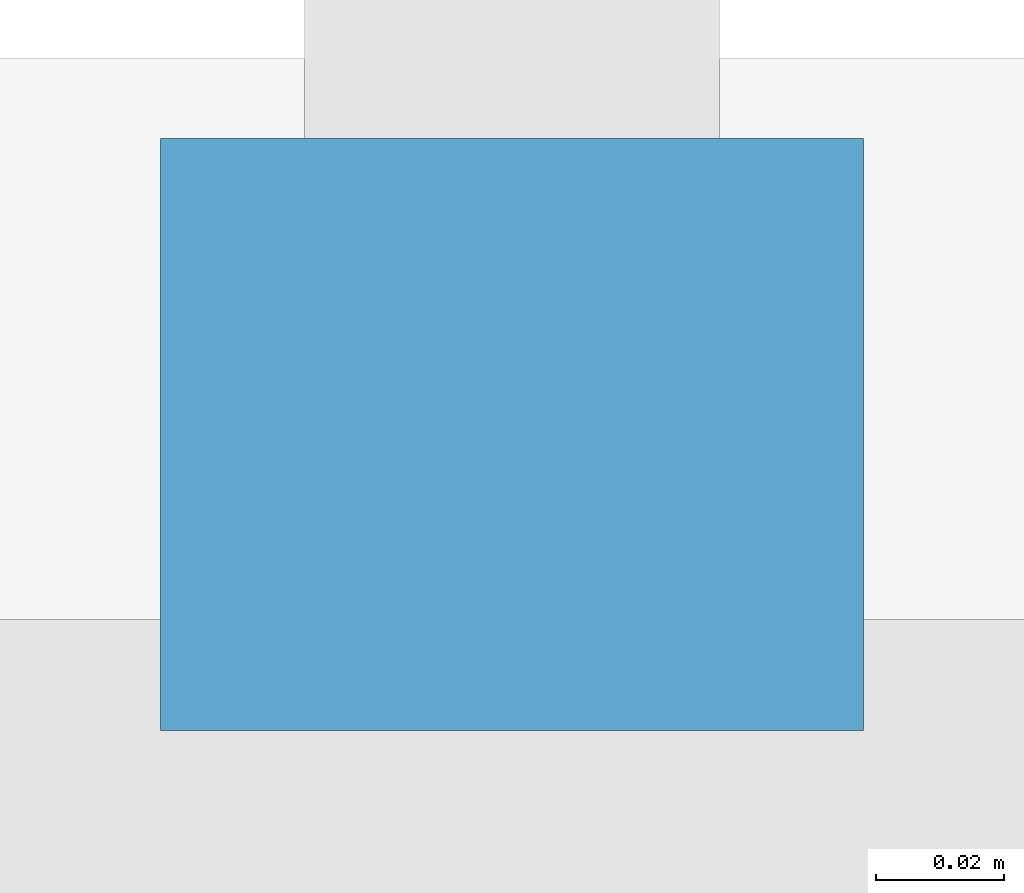
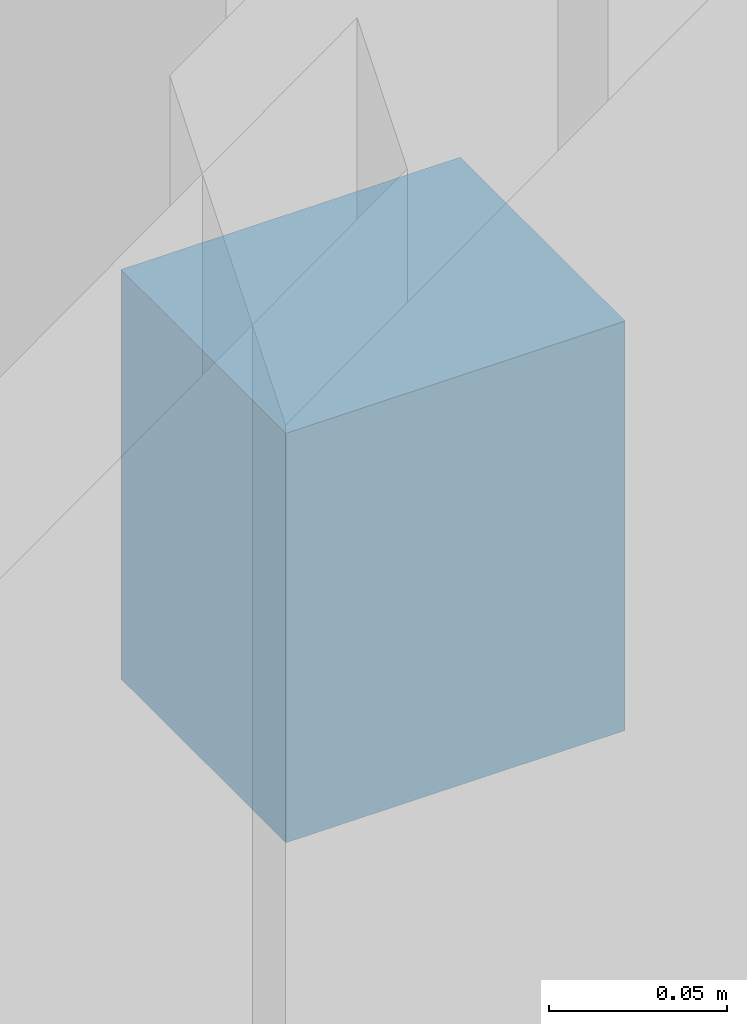
# One storey, part 13 of 15: 1 discrete accessory.
"""IFC4 building model written with IfcOpenShell, lengths in metres."""

from ifc_helpers import new_model, si_unit, direction, frame, origin, place, context, subcontext, project, spatial, polyline, outline, extrude, material, type_object, element, save


model = new_model("IFC4")

# Units and contexts
model_context = context("Model", 3, precision=1e-05, world=origin(), true_north=direction((0.0, 1.0)))
body_context = subcontext(model_context, "Body", "Model", "MODEL_VIEW")
ifc_project = project(units=[si_unit("LENGTHUNIT", "METRE"), si_unit("AREAUNIT", "SQUARE_METRE"), si_unit("VOLUMEUNIT", "CUBIC_METRE"), si_unit("PLANEANGLEUNIT", "RADIAN"), si_unit("MASSUNIT", "GRAM", prefix="KILO")], contexts=[model_context])

# Site, building, storey
site_placement = place(None, origin())
site = spatial("IfcSite", under=ifc_project, at=site_placement, CompositionType="ELEMENT")
building_placement = place(site_placement, origin())
building = spatial("IfcBuilding", under=site, at=building_placement, Name="Qalmaran Belvedere Hotel", CompositionType="ELEMENT")
storey_placement = place(building_placement, frame((0.0, 0.0, 196.89990234375)))
storey = spatial("IfcBuildingStorey", under=building, at=storey_placement, Name="L49", CompositionType="ELEMENT", Elevation=196.89990234375)

# Discrete accessory
ifc_material = material(Name="Stainless Steel 1.4401", Category="steel")
discrete_accessory_type = type_object("IfcDiscreteAccessoryType", Name="BRK-FIN-SS316", PredefinedType="BRACKET", material=ifc_material)
discrete_accessory_placement = place(storey_placement, frame((0.0, 0.0, 1.580078125)))
element("IfcDiscreteAccessory", 1, at=discrete_accessory_placement, inside=storey, type_object=discrete_accessory_type, Name="L49 Fin Bracket 1", PredefinedType="BRACKET", context=body_context, shape_type="SweptSolid", body=[
    extrude(outline(polyline([(23.429931640625, 41.39501953125), (23.429931640625, 41.487548828125), (23.320068359375, 41.487548828125), (23.320068359375, 41.39501953125), (23.429931640625, 41.39501953125)])), origin(), (0.0, 0.0, 1.0), 0.14013671875),
])

save(model, "model.ifc")
